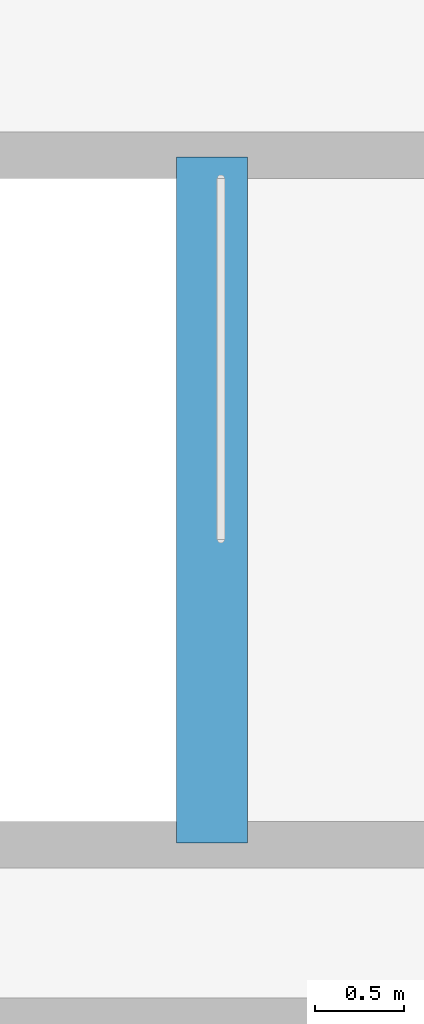
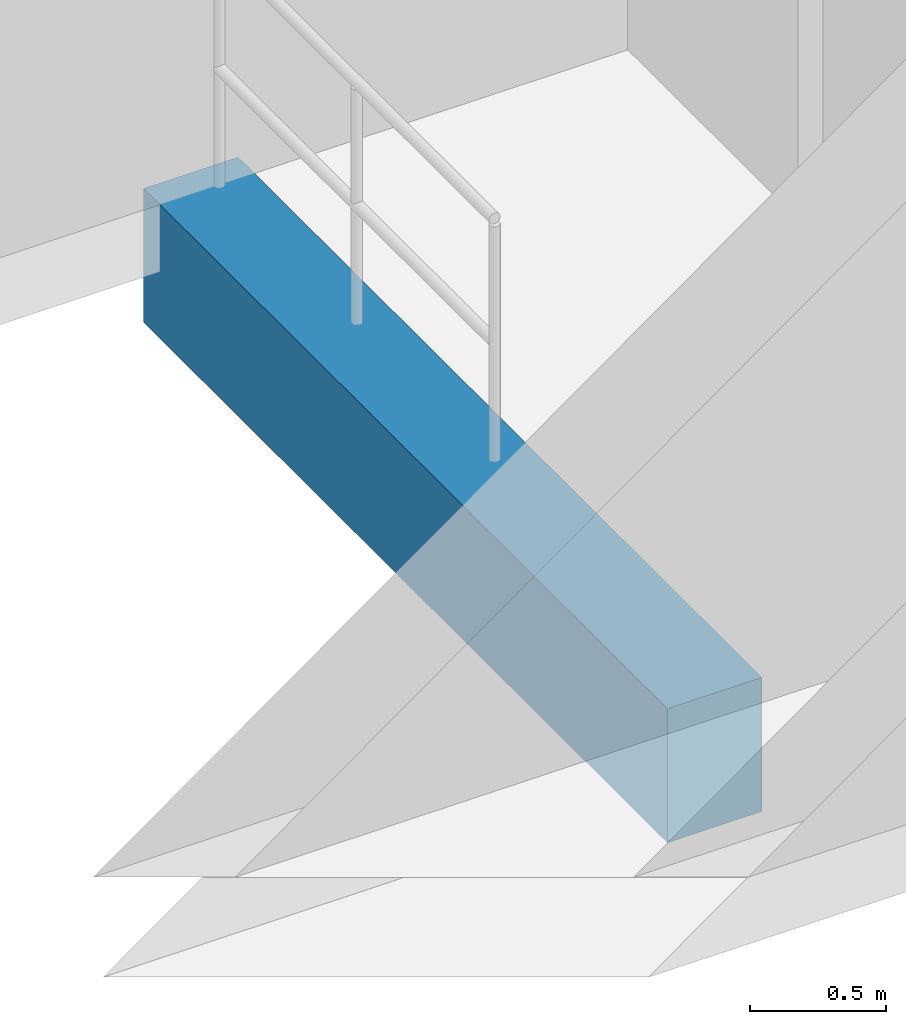
# One storey, part 22 of 106: 1 beam.
"""IFC4 building model written with IfcOpenShell, lengths in metres."""

from ifc_helpers import new_model, si_unit, direction, frame, origin, origin_2d, place, context, subcontext, project, spatial, rectangle, extrude, material, material_profile, profile_set, type_object, element, save


model = new_model("IFC4")

# Units and contexts
model_context = context("Model", 3, precision=1e-05, world=origin(), true_north=direction((0.0, 1.0)))
body_context = subcontext(model_context, "Body", "Model", "MODEL_VIEW")
ifc_project = project(units=[si_unit("LENGTHUNIT", "METRE"), si_unit("AREAUNIT", "SQUARE_METRE"), si_unit("VOLUMEUNIT", "CUBIC_METRE"), si_unit("PLANEANGLEUNIT", "RADIAN"), si_unit("MASSUNIT", "GRAM", prefix="KILO"), si_unit("THERMODYNAMICTEMPERATUREUNIT", "KELVIN"), si_unit("POWERUNIT", "WATT")], contexts=[model_context])

# Site, building, storey
site_placement = place(None, origin())
site = spatial("IfcSite", under=ifc_project, at=site_placement, CompositionType="ELEMENT")
building_placement = place(site_placement, origin())
building = spatial("IfcBuilding", under=site, at=building_placement, Name="Phaisarnlok Congress Hotel", CompositionType="ELEMENT")
storey_placement = place(building_placement, origin())
storey = spatial("IfcBuildingStorey", under=building, at=storey_placement, Name="L00", CompositionType="ELEMENT", Elevation=0.0)

# Beam
ifc_material = material(Name="Concrete C40/50", Category="concrete")
ifc_material_profile = material_profile(ifc_material, rectangle(XDim=0.39990234375, YDim=0.60009765625, at=origin_2d()), Name="RC 400x600")
ifc_profile_set = profile_set([ifc_material_profile], Name="Concrete C40/50")
beam_type = type_object("IfcBeamType", Name="BM-RC-400x600", PredefinedType="BEAM", material=ifc_profile_set)
beam_placement = place(storey_placement, frame((32.719970703125, 13.080078125, -0.300048828125), z_axis=(0.0, 1.0, 0.0), x_axis=(-1.0, 0.0, 0.0)))
element("IfcBeam", 1, at=beam_placement, inside=storey, type_object=beam_type, Name="Stair landing header beam B-02 (STAIR-MRT L00)", PredefinedType="BEAM", context=body_context, shape_type="SweptSolid", body=[
    extrude(rectangle(XDim=0.39990234375, YDim=0.60009765625, at=origin_2d()), origin(), (0.0, 0.0, 1.0), 3.83984375),
])

save(model, "model.ifc")
